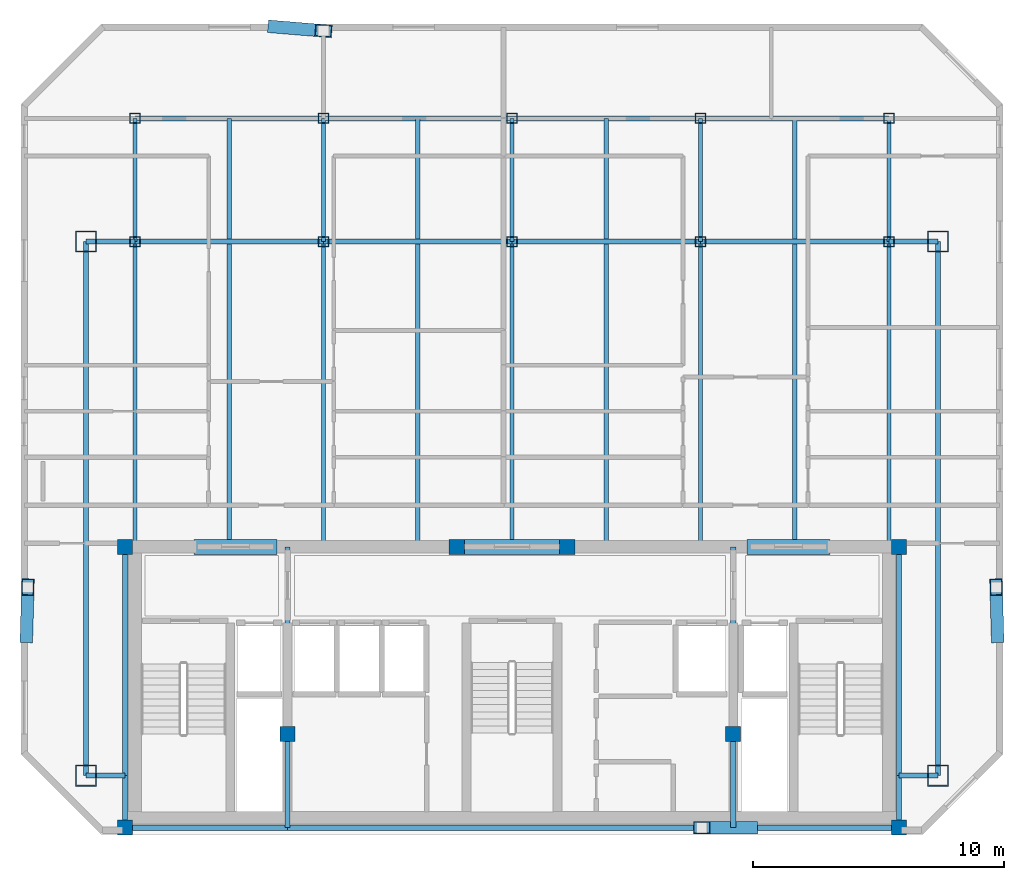
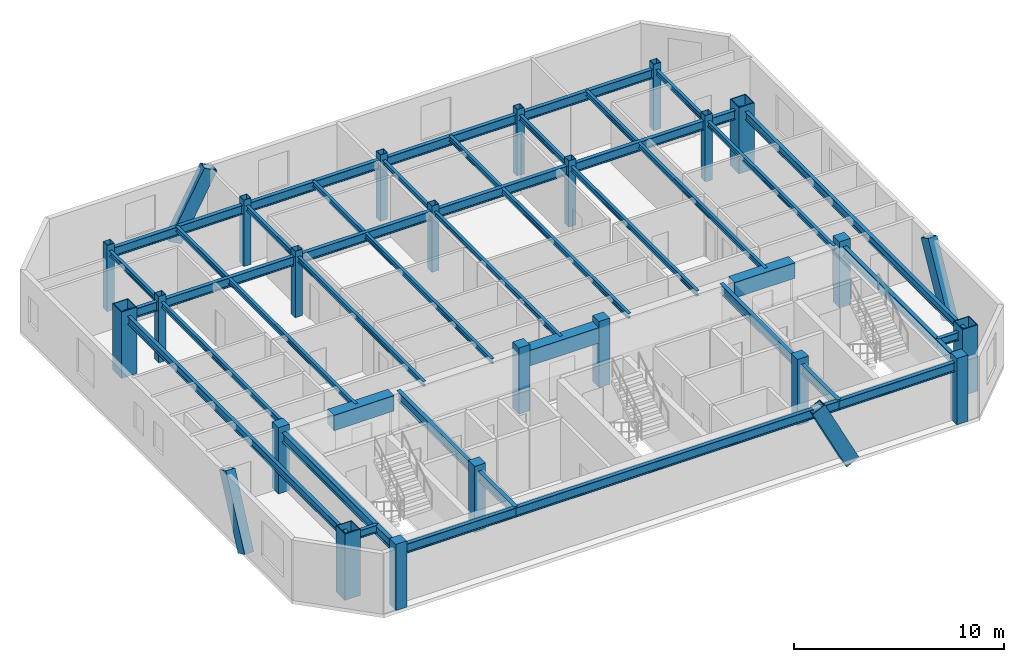
# One storey, part 1 of 7: 46 beams, 22 columns, 4 members.
"""IFC4 building model written with IfcOpenShell, lengths in metres."""

import ifcopenshell
import ifcopenshell.guid

model = None  # the IFC model being written
_history = None  # IfcOwnerHistory: only IFC2X3 demands one
_inside = {}  # id of a spatial element -> (the spatial element, [elements in it])
_under = {}  # id of a project, library or spatial element -> (it, [spatial elements below it])
_declared = {}  # id of a project -> (the project, [libraries it declares])
_typed = {}  # id of a type object -> (the type object, [elements of that type])
_made_of = {}  # id of a material, layer set ... -> (it, [elements and type objects made of it])


def new_model(schema):
    """Start an empty IFC model of exactly this schema.

    Asked for "IFC4X3", IfcOpenShell would pick the latest addendum, in which some entities
    have other attributes; the version numbers below select the first issue.
    IFC2X3 requires an IfcOwnerHistory on every rooted entity: one is made here for all.
    """
    global model, _history
    if schema == "IFC4X3":
        model = ifcopenshell.file(schema_version=(4, 3, 0, 0))
    else:
        model = ifcopenshell.file(schema=schema)
    _inside.clear()
    _under.clear()
    _declared.clear()
    _typed.clear()
    _made_of.clear()
    _history = None
    if model.schema == "IFC2X3":
        org = make("IfcOrganization", Name="unknown")
        user = make(
            "IfcPersonAndOrganization",
            ThePerson=make("IfcPerson", FamilyName="unknown"),
            TheOrganization=org,
        )
        app = make(
            "IfcApplication",
            ApplicationDeveloper=org,
            Version="unknown",
            ApplicationFullName="unknown",
            ApplicationIdentifier="unknown",
        )
        _history = make(
            "IfcOwnerHistory",
            OwningUser=user,
            OwningApplication=app,
            ChangeAction="ADDED",
            CreationDate=0,
        )
    return model


def make(cls, **values):
    """One entity of the class cls with the attributes given. An attribute that is None is left unset."""
    return model.create_entity(
        cls, **{name: value for name, value in values.items() if value is not None}
    )


def rooted(cls, **values):
    """An entity with a GlobalId (a new one), such as an element, a storey or a relation."""
    return make(cls, GlobalId=ifcopenshell.guid.new(), OwnerHistory=_history, **values)


def si_unit(unit_type, name, prefix=None):
    """IfcSIUnit, for example si_unit("LENGTHUNIT", "METRE", prefix="MILLI")."""
    return make("IfcSIUnit", UnitType=unit_type, Prefix=prefix, Name=name)


def assignment(units):
    """IfcUnitAssignment: the units of a project."""
    return None if units is None else make("IfcUnitAssignment", Units=units)


def point(xyz):
    """IfcCartesianPoint."""
    return None if xyz is None else make("IfcCartesianPoint", Coordinates=xyz)


def direction(xyz):
    """IfcDirection."""
    return None if xyz is None else make("IfcDirection", DirectionRatios=xyz)


def frame(location, z_axis=None, x_axis=None):
    """IfcAxis2Placement3D, a coordinate frame: its origin and axes. An axis left out is left unset."""
    return make(
        "IfcAxis2Placement3D",
        Location=point(location),
        Axis=direction(z_axis),
        RefDirection=direction(x_axis),
    )


def frame_2d(location, x_axis=None):
    """IfcAxis2Placement2D, a coordinate frame in the plane: its origin and x axis."""
    return make(
        "IfcAxis2Placement2D", Location=point(location), RefDirection=direction(x_axis)
    )


def origin():
    """The frame at (0, 0, 0) with its axes left unset."""
    return frame((0.0, 0.0, 0.0))


def origin_2d():
    """The frame at (0, 0) in the plane with its x axis left unset."""
    return frame_2d((0.0, 0.0))


def place(relative_to, where):
    """IfcLocalPlacement: puts the frame where relative to a parent placement (None: the world)."""
    return make(
        "IfcLocalPlacement", PlacementRelTo=relative_to, RelativePlacement=where
    )


def context(
    kind, dimensions, precision=None, world=None, true_north=None, identifier=None
):
    """IfcGeometricRepresentationContext, for example the 3D "Model" context."""
    return make(
        "IfcGeometricRepresentationContext",
        ContextIdentifier=identifier,
        ContextType=kind,
        CoordinateSpaceDimension=dimensions,
        Precision=precision,
        WorldCoordinateSystem=world,
        TrueNorth=true_north,
    )


def subcontext(parent, identifier, kind, view, scale=None):
    """IfcGeometricRepresentationSubContext, for example "Body" below "Model"."""
    return make(
        "IfcGeometricRepresentationSubContext",
        ContextIdentifier=identifier,
        ContextType=kind,
        ParentContext=parent,
        TargetScale=scale,
        TargetView=view,
    )


def project(units=None, contexts=None):
    """IfcProject with its units and contexts."""
    return rooted(
        "IfcProject",
        Name="project",
        RepresentationContexts=contexts,
        UnitsInContext=assignment(units),
    )


def spatial(cls, under=None, at=None, **own):
    """A site, building, storey or space (cls), placed at a placement, below another one or the project."""
    s = rooted(cls, ObjectPlacement=at, **own)
    if under is not None:
        _under.setdefault(under.id(), (under, []))[1].append(s)
    return s


def profile(cls, at=None, kind="AREA", **sizes):
    """A parametric profile (cls). Its sizes go by their IFC names, for example OverallWidth=200.0."""
    return make(cls, ProfileType=kind, Position=at, **sizes)


def rectangle(**sizes):
    """IfcRectangleProfileDef."""
    return profile("IfcRectangleProfileDef", **sizes)


def hollow_rectangle(**sizes):
    """IfcRectangleHollowProfileDef."""
    return profile("IfcRectangleHollowProfileDef", **sizes)


def i_section(**sizes):
    """IfcIShapeProfileDef."""
    return profile("IfcIShapeProfileDef", **sizes)


def extrude(swept, where, along, depth):
    """IfcExtrudedAreaSolid: the profile swept, set in the frame where, extruded along a direction by depth."""
    return make(
        "IfcExtrudedAreaSolid",
        SweptArea=swept,
        Position=where,
        ExtrudedDirection=direction(along),
        Depth=depth,
    )


def shape(context_of_items, identifier, shape_type, items):
    """IfcShapeRepresentation: the items that make up one representation, for example the "Body"."""
    return make(
        "IfcShapeRepresentation",
        ContextOfItems=context_of_items,
        RepresentationIdentifier=identifier,
        RepresentationType=shape_type,
        Items=items,
    )


def material(Name=None, Category=None):
    """IfcMaterial."""
    return make("IfcMaterial", Name=Name, Category=Category)


def material_profile(
    of_material, cross_section, Name=None, Category=None, Priority=None
):
    """IfcMaterialProfile: a cross section and its material."""
    return make(
        "IfcMaterialProfile",
        Name=Name,
        Material=of_material,
        Profile=cross_section,
        Priority=Priority,
        Category=Category,
    )


def profile_set(profiles, Name=None, composite=None):
    """IfcMaterialProfileSet."""
    return make(
        "IfcMaterialProfileSet",
        Name=Name,
        MaterialProfiles=profiles,
        CompositeProfile=composite,
    )


def made_of(thing, what):
    """Note that an element or type object is made of a material, layer set ...; save() writes the relation."""
    if what is not None:
        _made_of.setdefault(what.id(), (what, []))[1].append(thing)
    return thing


def type_object(cls, material=None, **own):
    """A type object (cls), such as IfcWallType, which elements share."""
    return made_of(rooted(cls, **own), material)


def element(
    cls,
    number,
    at=None,
    inside=None,
    cuts=None,
    type_object=None,
    material=None,
    context=None,
    identifier="Body",
    shape_type=None,
    held_by="IfcProductDefinitionShape",
    body=None,
    shapes=None,
    **own,
):
    """One element of the class cls, such as IfcWall. Its Tag is "e" and its number.

    at: its placement. inside: the storey or other place that contains it. cuts: it is an
    opening in that element (IfcRelVoidsElement). A single representation is given by context,
    identifier, shape_type and body (its items); several are given by shapes. held_by: the class
    of the entity that holds the representations. save() writes the other relations.
    """
    e = rooted(cls, Tag="e%d" % number, ObjectPlacement=at, **own)
    if body is not None:
        shapes = [shape(context, identifier, shape_type, body)]
    if shapes is not None:
        e.Representation = make(held_by, Representations=shapes)
    if inside is not None:
        _inside.setdefault(inside.id(), (inside, []))[1].append(e)
    if cuts is not None:
        rooted(
            "IfcRelVoidsElement", RelatingBuildingElement=cuts, RelatedOpeningElement=e
        )
    if type_object is not None:
        _typed.setdefault(type_object.id(), (type_object, []))[1].append(e)
    return made_of(e, material)


def aggregate(whole, parts):
    """IfcRelAggregates: a whole, such as a stair, and the parts it consists of."""
    return rooted("IfcRelAggregates", RelatingObject=whole, RelatedObjects=parts)


def save(model, path):
    """Write the relations noted so far, then the file.

    IfcRelAggregates (storeys below a building ...), IfcRelContainedInSpatialStructure (elements
    in a storey), IfcRelDefinesByType, IfcRelAssociatesMaterial and IfcRelDeclares: one each for
    every whole, place, type object, material and project.
    """
    for whole, parts in _under.values():
        aggregate(whole, parts)
    for where, things in _inside.values():
        rooted(
            "IfcRelContainedInSpatialStructure",
            RelatedElements=things,
            RelatingStructure=where,
        )
    for kind, things in _typed.values():
        rooted("IfcRelDefinesByType", RelatedObjects=things, RelatingType=kind)
    for what, things in _made_of.values():
        rooted("IfcRelAssociatesMaterial", RelatedObjects=things, RelatingMaterial=what)
    for by, libraries in _declared.values():
        rooted("IfcRelDeclares", RelatingContext=by, RelatedDefinitions=libraries)
    model.write(path)


model = new_model("IFC4")

# Units and contexts
model_context = context("Model", 3, precision=1e-05, world=origin(), true_north=direction((0.0, 1.0)))
body_context = subcontext(model_context, "Body", "Model", "MODEL_VIEW")
ifc_project = project(units=[si_unit("LENGTHUNIT", "METRE"), si_unit("AREAUNIT", "SQUARE_METRE"), si_unit("VOLUMEUNIT", "CUBIC_METRE"), si_unit("PLANEANGLEUNIT", "RADIAN"), si_unit("MASSUNIT", "GRAM", prefix="KILO")], contexts=[model_context])

# Site, building, storey
site_placement = place(None, origin())
site = spatial("IfcSite", under=ifc_project, at=site_placement, CompositionType="ELEMENT")
building_placement = place(site_placement, origin())
building = spatial("IfcBuilding", under=site, at=building_placement, Name="Ventersveld Concourse Tower", CompositionType="ELEMENT")
storey_placement = place(building_placement, frame((0.0, 0.0, 328.449951171875)))
storey = spatial("IfcBuildingStorey", under=building, at=storey_placement, Name="L81", CompositionType="ELEMENT", Elevation=328.449951171875)

# Columns
ifc_material_1 = material(Name="Concrete C50/60", Category="concrete")
ifc_material_profile_1 = material_profile(ifc_material_1, rectangle(XDim=0.60009765625, YDim=0.60009765625, at=origin_2d()), Name="RC 600x600")
ifc_profile_set_1 = profile_set([ifc_material_profile_1], Name="Concrete C50/60")
column_type_1 = type_object("IfcColumnType", Name="COL-RC600", PredefinedType="COLUMN", material=ifc_profile_set_1)
for number, where, z_axis, x_axis, name in (
    (1, (13.35009765625, 0.280029296875, 0.0), (0.0, 0.0, 1.0), (1.0, 0.0, 0.0), "L81 Core Spine Column CC-SW"),
    (2, (44.14990234375, 0.280029296875, 0.0), (0.0, 0.0, 1.0), (1.0, 0.0, 0.0), "L81 Core Spine Column CC-SE"),
    (3, (13.35009765625, 11.449951171875, 0.0), (0.0, 0.0, 1.0), (1.0, 0.0, 0.0), "L81 Core Spine Column CC-NW"),
    (4, (44.14990234375, 11.449951171875, 0.0), (0.0, 0.0, 1.0), (1.0, 0.0, 0.0), "L81 Core Spine Column CC-NE"),
    (5, (19.820068359375, 4.0, 0.0), (0.0, 0.0, 1.0), (1.0, 0.0, 0.0), "L81 Core Spine Column CM-1"),
    (6, (37.550048828125, 4.0, 0.0), (0.0, 0.0, 1.0), (1.0, 0.0, 0.0), "L81 Core Spine Column CM-2"),
    (7, (26.550048828125, 11.449951171875, 0.0), (0.0, 0.0, 1.0), (1.0, 0.0, 0.0), "L81 Core Spine Column CM-3"),
    (8, (30.949951171875, 11.449951171875, 0.0), (0.0, 0.0, 1.0), (1.0, 0.0, 0.0), "L81 Core Spine Column CM-4"),
):
    element("IfcColumn", number, at=place(storey_placement, frame(where, z_axis=z_axis, x_axis=x_axis)), inside=storey, type_object=column_type_1, Name=name, PredefinedType="COLUMN", context=body_context, shape_type="SweptSolid", body=[
        extrude(rectangle(XDim=0.60009765625, YDim=0.60009765625, at=origin_2d()), origin(), (0.0, 0.0, 1.0), 3.85009765625),
    ])
ifc_material_2 = material(Name="Structural steel S355J2", Category="steel")
ifc_material_profile_2 = material_profile(ifc_material_2, hollow_rectangle(XDim=0.39990234375, YDim=0.39990234375, WallThickness=0.02001953125, at=origin_2d()), Name="SHS 400x400x20")
ifc_profile_set_2 = profile_set([ifc_material_profile_2], Name="Structural steel S355J2")
column_type_2 = type_object("IfcColumnType", Name="COL-SHS400", PredefinedType="COLUMN", material=ifc_profile_set_2)
for number, where, z_axis, x_axis, name in (
    (9, (13.75, 23.60009765625, 0.0), (0.0, 0.0, 1.0), (1.0, 0.0, 0.0), "L81 Interior Gravity Column X=13.75 Y=23.60"),
    (10, (21.25, 23.60009765625, 0.0), (0.0, 0.0, 1.0), (1.0, 0.0, 0.0), "L81 Interior Gravity Column X=21.25 Y=23.60"),
    (11, (28.75, 23.60009765625, 0.0), (0.0, 0.0, 1.0), (1.0, 0.0, 0.0), "L81 Interior Gravity Column X=28.75 Y=23.60"),
    (12, (36.25, 23.60009765625, 0.0), (0.0, 0.0, 1.0), (1.0, 0.0, 0.0), "L81 Interior Gravity Column X=36.25 Y=23.60"),
    (13, (43.75, 23.60009765625, 0.0), (0.0, 0.0, 1.0), (1.0, 0.0, 0.0), "L81 Interior Gravity Column X=43.75 Y=23.60"),
    (14, (13.75, 28.5, 0.0), (0.0, 0.0, 1.0), (1.0, 0.0, 0.0), "L81 Upper-North Gravity Column X=13.75 Y=28.50"),
    (15, (21.25, 28.5, 0.0), (0.0, 0.0, 1.0), (1.0, 0.0, 0.0), "L81 Upper-North Gravity Column X=21.25 Y=28.50"),
    (16, (28.75, 28.5, 0.0), (0.0, 0.0, 1.0), (1.0, 0.0, 0.0), "L81 Upper-North Gravity Column X=28.75 Y=28.50"),
    (17, (36.25, 28.5, 0.0), (0.0, 0.0, 1.0), (1.0, 0.0, 0.0), "L81 Upper-North Gravity Column X=36.25 Y=28.50"),
    (18, (43.75, 28.5, 0.0), (0.0, 0.0, 1.0), (1.0, 0.0, 0.0), "L81 Upper-North Gravity Column X=43.75 Y=28.50"),
):
    element("IfcColumn", number, at=place(storey_placement, frame(where, z_axis=z_axis, x_axis=x_axis)), inside=storey, type_object=column_type_2, Name=name, PredefinedType="COLUMN", context=body_context, shape_type="SweptSolid", body=[
        extrude(hollow_rectangle(XDim=0.39990234375, YDim=0.39990234375, WallThickness=0.02001953125, at=origin_2d()), origin(), (0.0, 0.0, 1.0), 3.85009765625),
    ])
ifc_material_3 = material(Name="Structural steel S460ML", Category="steel")
ifc_material_profile_3 = material_profile(ifc_material_3, hollow_rectangle(XDim=0.85009765625, YDim=0.85009765625, WallThickness=0.050048828125, at=origin_2d()), Name="BOX 850x850x50")
ifc_profile_set_3 = profile_set([ifc_material_profile_3], Name="Structural steel S460ML")
column_type_3 = type_object("IfcColumnType", Name="MC-850", PredefinedType="USERDEFINED", material=ifc_profile_set_3)
for number, where, z_axis, x_axis, name in (
    (19, (11.800048828125, 2.35009765625, 0.0), (0.0, 0.0, 1.0), (1.0, 0.0, 0.0), "L81 Corner Mega-Column MC-SW"),
    (20, (45.699951171875, 2.35009765625, 0.0), (0.0, 0.0, 1.0), (1.0, 0.0, 0.0), "L81 Corner Mega-Column MC-SE"),
    (21, (45.699951171875, 23.60009765625, 0.0), (0.0, 0.0, 1.0), (1.0, 0.0, 0.0), "L81 Corner Mega-Column MC-NE"),
    (22, (11.800048828125, 23.60009765625, 0.0), (0.0, 0.0, 1.0), (1.0, 0.0, 0.0), "L81 Corner Mega-Column MC-NW"),
):
    element("IfcColumn", number, at=place(storey_placement, frame(where, z_axis=z_axis, x_axis=x_axis)), inside=storey, type_object=column_type_3, Name=name, ObjectType="MEGA_COLUMN", PredefinedType="USERDEFINED", context=body_context, shape_type="SweptSolid", body=[
        extrude(hollow_rectangle(XDim=0.85009765625, YDim=0.85009765625, WallThickness=0.050048828125, at=origin_2d()), origin(), (0.0, 0.0, 1.0), 3.85009765625),
    ])

# Beams
ifc_material_profile_4 = material_profile(ifc_material_2, i_section(OverallWidth=0.1650390625, OverallDepth=0.303466796875, WebThickness=0.006103515625, FlangeThickness=0.01025390625, FilletRadius=0.0087890625, at=origin_2d()), Name="UB 305x165x40")
ifc_profile_set_4 = profile_set([ifc_material_profile_4], Name="Structural steel S355J2")
beam_type_1 = type_object("IfcBeamType", Name="BM-UB305", PredefinedType="BEAM", material=ifc_profile_set_4)
beam_1_placement = place(storey_placement, frame((13.75, 11.449951171875, 3.348388671875), z_axis=(0.0, 1.0, 0.0), x_axis=(-1.0, 0.0, 0.0)))
element("IfcBeam", 23, at=beam_1_placement, inside=storey, type_object=beam_type_1, Name="L81 N-S Composite Floor Beam South X=13.75", PredefinedType="BEAM", context=body_context, shape_type="SweptSolid", body=[
    extrude(i_section(OverallWidth=0.1650390625, OverallDepth=0.303466796875, WebThickness=0.006103515625, FlangeThickness=0.01025390625, FilletRadius=0.0087890625, at=origin_2d()), origin(), (0.0, 0.0, 1.0), 12.150146484375),
])
beam_2_placement = place(storey_placement, frame((13.75, 23.60009765625, 3.348388671875), z_axis=(0.0, 1.0, 0.0), x_axis=(-1.0, 0.0, 0.0)))
element("IfcBeam", 24, at=beam_2_placement, inside=storey, type_object=beam_type_1, Name="L81 N-S Upper-Zone Floor Beam X=13.75", PredefinedType="BEAM", context=body_context, shape_type="SweptSolid", body=[
    extrude(i_section(OverallWidth=0.1650390625, OverallDepth=0.303466796875, WebThickness=0.006103515625, FlangeThickness=0.01025390625, FilletRadius=0.0087890625, at=origin_2d()), origin(), (0.0, 0.0, 1.0), 4.89990234375),
])
beam_3_placement = place(storey_placement, frame((17.5, 11.449951171875, 3.348388671875), z_axis=(0.0, 1.0, 0.0), x_axis=(-1.0, 0.0, 0.0)))
element("IfcBeam", 25, at=beam_3_placement, inside=storey, type_object=beam_type_1, Name="L81 N-S Composite Floor Beam South X=17.50", PredefinedType="BEAM", context=body_context, shape_type="SweptSolid", body=[
    extrude(i_section(OverallWidth=0.1650390625, OverallDepth=0.303466796875, WebThickness=0.006103515625, FlangeThickness=0.01025390625, FilletRadius=0.0087890625, at=origin_2d()), origin(), (0.0, 0.0, 1.0), 12.054931640625),
])
beam_4_placement = place(storey_placement, frame((17.5, 23.695068359375, 3.348388671875), z_axis=(0.0, 1.0, 0.0), x_axis=(-1.0, 0.0, 0.0)))
element("IfcBeam", 26, at=beam_4_placement, inside=storey, type_object=beam_type_1, Name="L81 N-S Upper-Zone Floor Beam X=17.50", PredefinedType="BEAM", context=body_context, shape_type="SweptSolid", body=[
    extrude(i_section(OverallWidth=0.1650390625, OverallDepth=0.303466796875, WebThickness=0.006103515625, FlangeThickness=0.01025390625, FilletRadius=0.0087890625, at=origin_2d()), origin(), (0.0, 0.0, 1.0), 4.804931640625),
])
beam_5_placement = place(storey_placement, frame((21.25, 11.449951171875, 3.348388671875), z_axis=(0.0, 1.0, 0.0), x_axis=(-1.0, 0.0, 0.0)))
element("IfcBeam", 27, at=beam_5_placement, inside=storey, type_object=beam_type_1, Name="L81 N-S Composite Floor Beam South X=21.25", PredefinedType="BEAM", context=body_context, shape_type="SweptSolid", body=[
    extrude(i_section(OverallWidth=0.1650390625, OverallDepth=0.303466796875, WebThickness=0.006103515625, FlangeThickness=0.01025390625, FilletRadius=0.0087890625, at=origin_2d()), origin(), (0.0, 0.0, 1.0), 12.150146484375),
])
beam_6_placement = place(storey_placement, frame((21.25, 23.60009765625, 3.348388671875), z_axis=(0.0, 1.0, 0.0), x_axis=(-1.0, 0.0, 0.0)))
element("IfcBeam", 28, at=beam_6_placement, inside=storey, type_object=beam_type_1, Name="L81 N-S Upper-Zone Floor Beam X=21.25", PredefinedType="BEAM", context=body_context, shape_type="SweptSolid", body=[
    extrude(i_section(OverallWidth=0.1650390625, OverallDepth=0.303466796875, WebThickness=0.006103515625, FlangeThickness=0.01025390625, FilletRadius=0.0087890625, at=origin_2d()), origin(), (0.0, 0.0, 1.0), 4.89990234375),
])
beam_7_placement = place(storey_placement, frame((25.0, 11.449951171875, 3.348388671875), z_axis=(0.0, 1.0, 0.0), x_axis=(-1.0, 0.0, 0.0)))
element("IfcBeam", 29, at=beam_7_placement, inside=storey, type_object=beam_type_1, Name="L81 N-S Composite Floor Beam South X=25.00", PredefinedType="BEAM", context=body_context, shape_type="SweptSolid", body=[
    extrude(i_section(OverallWidth=0.1650390625, OverallDepth=0.303466796875, WebThickness=0.006103515625, FlangeThickness=0.01025390625, FilletRadius=0.0087890625, at=origin_2d()), origin(), (0.0, 0.0, 1.0), 12.054931640625),
])
beam_8_placement = place(storey_placement, frame((25.0, 23.695068359375, 3.348388671875), z_axis=(0.0, 1.0, 0.0), x_axis=(-1.0, 0.0, 0.0)))
element("IfcBeam", 30, at=beam_8_placement, inside=storey, type_object=beam_type_1, Name="L81 N-S Upper-Zone Floor Beam X=25.00", PredefinedType="BEAM", context=body_context, shape_type="SweptSolid", body=[
    extrude(i_section(OverallWidth=0.1650390625, OverallDepth=0.303466796875, WebThickness=0.006103515625, FlangeThickness=0.01025390625, FilletRadius=0.0087890625, at=origin_2d()), origin(), (0.0, 0.0, 1.0), 4.804931640625),
])
beam_9_placement = place(storey_placement, frame((28.75, 11.449951171875, 3.348388671875), z_axis=(0.0, 1.0, 0.0), x_axis=(-1.0, 0.0, 0.0)))
element("IfcBeam", 31, at=beam_9_placement, inside=storey, type_object=beam_type_1, Name="L81 N-S Composite Floor Beam South X=28.75", PredefinedType="BEAM", context=body_context, shape_type="SweptSolid", body=[
    extrude(i_section(OverallWidth=0.1650390625, OverallDepth=0.303466796875, WebThickness=0.006103515625, FlangeThickness=0.01025390625, FilletRadius=0.0087890625, at=origin_2d()), origin(), (0.0, 0.0, 1.0), 12.150146484375),
])
beam_10_placement = place(storey_placement, frame((28.75, 23.60009765625, 3.348388671875), z_axis=(0.0, 1.0, 0.0), x_axis=(-1.0, 0.0, 0.0)))
element("IfcBeam", 32, at=beam_10_placement, inside=storey, type_object=beam_type_1, Name="L81 N-S Upper-Zone Floor Beam X=28.75", PredefinedType="BEAM", context=body_context, shape_type="SweptSolid", body=[
    extrude(i_section(OverallWidth=0.1650390625, OverallDepth=0.303466796875, WebThickness=0.006103515625, FlangeThickness=0.01025390625, FilletRadius=0.0087890625, at=origin_2d()), origin(), (0.0, 0.0, 1.0), 4.89990234375),
])
beam_11_placement = place(storey_placement, frame((32.5, 11.449951171875, 3.348388671875), z_axis=(0.0, 1.0, 0.0), x_axis=(-1.0, 0.0, 0.0)))
element("IfcBeam", 33, at=beam_11_placement, inside=storey, type_object=beam_type_1, Name="L81 N-S Composite Floor Beam South X=32.50", PredefinedType="BEAM", context=body_context, shape_type="SweptSolid", body=[
    extrude(i_section(OverallWidth=0.1650390625, OverallDepth=0.303466796875, WebThickness=0.006103515625, FlangeThickness=0.01025390625, FilletRadius=0.0087890625, at=origin_2d()), origin(), (0.0, 0.0, 1.0), 12.054931640625),
])
beam_12_placement = place(storey_placement, frame((32.5, 23.695068359375, 3.348388671875), z_axis=(0.0, 1.0, 0.0), x_axis=(-1.0, 0.0, 0.0)))
element("IfcBeam", 34, at=beam_12_placement, inside=storey, type_object=beam_type_1, Name="L81 N-S Upper-Zone Floor Beam X=32.50", PredefinedType="BEAM", context=body_context, shape_type="SweptSolid", body=[
    extrude(i_section(OverallWidth=0.1650390625, OverallDepth=0.303466796875, WebThickness=0.006103515625, FlangeThickness=0.01025390625, FilletRadius=0.0087890625, at=origin_2d()), origin(), (0.0, 0.0, 1.0), 4.804931640625),
])
beam_13_placement = place(storey_placement, frame((36.25, 11.449951171875, 3.348388671875), z_axis=(0.0, 1.0, 0.0), x_axis=(-1.0, 0.0, 0.0)))
element("IfcBeam", 35, at=beam_13_placement, inside=storey, type_object=beam_type_1, Name="L81 N-S Composite Floor Beam South X=36.25", PredefinedType="BEAM", context=body_context, shape_type="SweptSolid", body=[
    extrude(i_section(OverallWidth=0.1650390625, OverallDepth=0.303466796875, WebThickness=0.006103515625, FlangeThickness=0.01025390625, FilletRadius=0.0087890625, at=origin_2d()), origin(), (0.0, 0.0, 1.0), 12.150146484375),
])
beam_14_placement = place(storey_placement, frame((36.25, 23.60009765625, 3.348388671875), z_axis=(0.0, 1.0, 0.0), x_axis=(-1.0, 0.0, 0.0)))
element("IfcBeam", 36, at=beam_14_placement, inside=storey, type_object=beam_type_1, Name="L81 N-S Upper-Zone Floor Beam X=36.25", PredefinedType="BEAM", context=body_context, shape_type="SweptSolid", body=[
    extrude(i_section(OverallWidth=0.1650390625, OverallDepth=0.303466796875, WebThickness=0.006103515625, FlangeThickness=0.01025390625, FilletRadius=0.0087890625, at=origin_2d()), origin(), (0.0, 0.0, 1.0), 4.89990234375),
])
beam_15_placement = place(storey_placement, frame((40.0, 11.449951171875, 3.348388671875), z_axis=(0.0, 1.0, 0.0), x_axis=(-1.0, 0.0, 0.0)))
element("IfcBeam", 37, at=beam_15_placement, inside=storey, type_object=beam_type_1, Name="L81 N-S Composite Floor Beam South X=40.00", PredefinedType="BEAM", context=body_context, shape_type="SweptSolid", body=[
    extrude(i_section(OverallWidth=0.1650390625, OverallDepth=0.303466796875, WebThickness=0.006103515625, FlangeThickness=0.01025390625, FilletRadius=0.0087890625, at=origin_2d()), origin(), (0.0, 0.0, 1.0), 12.054931640625),
])
beam_16_placement = place(storey_placement, frame((40.0, 23.695068359375, 3.348388671875), z_axis=(0.0, 1.0, 0.0), x_axis=(-1.0, 0.0, 0.0)))
element("IfcBeam", 38, at=beam_16_placement, inside=storey, type_object=beam_type_1, Name="L81 N-S Upper-Zone Floor Beam X=40.00", PredefinedType="BEAM", context=body_context, shape_type="SweptSolid", body=[
    extrude(i_section(OverallWidth=0.1650390625, OverallDepth=0.303466796875, WebThickness=0.006103515625, FlangeThickness=0.01025390625, FilletRadius=0.0087890625, at=origin_2d()), origin(), (0.0, 0.0, 1.0), 4.804931640625),
])
beam_17_placement = place(storey_placement, frame((43.75, 11.449951171875, 3.348388671875), z_axis=(0.0, 1.0, 0.0), x_axis=(-1.0, 0.0, 0.0)))
element("IfcBeam", 39, at=beam_17_placement, inside=storey, type_object=beam_type_1, Name="L81 N-S Composite Floor Beam South X=43.75", PredefinedType="BEAM", context=body_context, shape_type="SweptSolid", body=[
    extrude(i_section(OverallWidth=0.1650390625, OverallDepth=0.303466796875, WebThickness=0.006103515625, FlangeThickness=0.01025390625, FilletRadius=0.0087890625, at=origin_2d()), origin(), (0.0, 0.0, 1.0), 12.150146484375),
])
beam_18_placement = place(storey_placement, frame((43.75, 23.60009765625, 3.348388671875), z_axis=(0.0, 1.0, 0.0), x_axis=(-1.0, 0.0, 0.0)))
element("IfcBeam", 40, at=beam_18_placement, inside=storey, type_object=beam_type_1, Name="L81 N-S Upper-Zone Floor Beam X=43.75", PredefinedType="BEAM", context=body_context, shape_type="SweptSolid", body=[
    extrude(i_section(OverallWidth=0.1650390625, OverallDepth=0.303466796875, WebThickness=0.006103515625, FlangeThickness=0.01025390625, FilletRadius=0.0087890625, at=origin_2d()), origin(), (0.0, 0.0, 1.0), 4.89990234375),
])
ifc_material_profile_5 = material_profile(ifc_material_1, rectangle(XDim=0.60009765625, YDim=0.89990234375, at=origin_2d()), Name="RC 600x900")
ifc_profile_set_5 = profile_set([ifc_material_profile_5], Name="Concrete C50/60")
beam_type_2 = type_object("IfcBeamType", Name="CB-RC600x900U", PredefinedType="LINTEL", material=ifc_profile_set_5)
beam_19_placement = place(storey_placement, frame((16.10009765625, 11.449951171875, 3.050048828125), z_axis=(1.0, 0.0, 0.0), x_axis=(0.0, 1.0, 0.0)))
element("IfcBeam", 41, at=beam_19_placement, inside=storey, type_object=beam_type_2, Name="L81 Core Coupling Lintel Beam 1", PredefinedType="LINTEL", context=body_context, shape_type="SweptSolid", body=[
    extrude(rectangle(XDim=0.60009765625, YDim=0.89990234375, at=origin_2d()), origin(), (0.0, 0.0, 1.0), 3.2998046875),
])
beam_20_placement = place(storey_placement, frame((26.5, 11.449951171875, 3.050048828125), z_axis=(1.0, 0.0, 0.0), x_axis=(0.0, 1.0, 0.0)))
element("IfcBeam", 42, at=beam_20_placement, inside=storey, type_object=beam_type_2, Name="L81 Core Coupling Lintel Beam 2", PredefinedType="LINTEL", context=body_context, shape_type="SweptSolid", body=[
    extrude(rectangle(XDim=0.60009765625, YDim=0.89990234375, at=origin_2d()), origin(), (0.0, 0.0, 1.0), 4.5),
])
beam_21_placement = place(storey_placement, frame((38.10009765625, 11.449951171875, 3.050048828125), z_axis=(1.0, 0.0, 0.0), x_axis=(0.0, 1.0, 0.0)))
element("IfcBeam", 43, at=beam_21_placement, inside=storey, type_object=beam_type_2, Name="L81 Core Coupling Lintel Beam 3", PredefinedType="LINTEL", context=body_context, shape_type="SweptSolid", body=[
    extrude(rectangle(XDim=0.60009765625, YDim=0.89990234375, at=origin_2d()), origin(), (0.0, 0.0, 1.0), 3.2998046875),
])
ifc_material_profile_6 = material_profile(ifc_material_2, i_section(OverallWidth=0.209228515625, OverallDepth=0.533203125, WebThickness=0.010009765625, FlangeThickness=0.015625, FilletRadius=0.0126953125, at=origin_2d()), Name="UB 533x210x92")
ifc_profile_set_6 = profile_set([ifc_material_profile_6], Name="Structural steel S355J2")
beam_type_3 = type_object("IfcBeamType", Name="GRD-UB533", PredefinedType="T_BEAM", material=ifc_profile_set_6)
beam_22_placement = place(storey_placement, frame((11.800048828125, 23.60009765625, 3.2333984375), z_axis=(1.0, 0.0, 0.0), x_axis=(0.0, 1.0, 0.0)))
element("IfcBeam", 44, at=beam_22_placement, inside=storey, type_object=beam_type_3, Name="L81 Primary E-W Grid Girder Y=23.60 #1", PredefinedType="T_BEAM", context=body_context, shape_type="SweptSolid", body=[
    extrude(i_section(OverallWidth=0.209228515625, OverallDepth=0.533203125, WebThickness=0.010009765625, FlangeThickness=0.015625, FilletRadius=0.0126953125, at=origin_2d()), origin(), (0.0, 0.0, 1.0), 1.949951171875),
])
for number, where, z_axis, x_axis, name in (
    (45, (13.75, 23.60009765625, 3.2333984375), (1.0, 0.0, 0.0), (0.0, 1.0, 0.0), "L81 Primary E-W Grid Girder Y=23.60 #2"),
    (46, (21.25, 23.60009765625, 3.2333984375), (1.0, 0.0, 0.0), (0.0, 1.0, 0.0), "L81 Primary E-W Grid Girder Y=23.60 #3"),
    (47, (28.75, 23.60009765625, 3.2333984375), (1.0, 0.0, 0.0), (0.0, 1.0, 0.0), "L81 Primary E-W Grid Girder Y=23.60 #4"),
    (48, (36.25, 23.60009765625, 3.2333984375), (1.0, 0.0, 0.0), (0.0, 1.0, 0.0), "L81 Primary E-W Grid Girder Y=23.60 #5"),
):
    element("IfcBeam", number, at=place(storey_placement, frame(where, z_axis=z_axis, x_axis=x_axis)), inside=storey, type_object=beam_type_3, Name=name, PredefinedType="T_BEAM", context=body_context, shape_type="SweptSolid", body=[
        extrude(i_section(OverallWidth=0.209228515625, OverallDepth=0.533203125, WebThickness=0.010009765625, FlangeThickness=0.015625, FilletRadius=0.0126953125, at=origin_2d()), origin(), (0.0, 0.0, 1.0), 7.5),
    ])
beam_23_placement = place(storey_placement, frame((43.75, 23.60009765625, 3.2333984375), z_axis=(1.0, 0.0, 0.0), x_axis=(0.0, 1.0, 0.0)))
element("IfcBeam", 49, at=beam_23_placement, inside=storey, type_object=beam_type_3, Name="L81 Primary E-W Grid Girder Y=23.60 #6", PredefinedType="T_BEAM", context=body_context, shape_type="SweptSolid", body=[
    extrude(i_section(OverallWidth=0.209228515625, OverallDepth=0.533203125, WebThickness=0.010009765625, FlangeThickness=0.015625, FilletRadius=0.0126953125, at=origin_2d()), origin(), (0.0, 0.0, 1.0), 1.949951171875),
])
for number, where, z_axis, x_axis, name in (
    (50, (13.75, 28.5, 3.2333984375), (1.0, 0.0, 0.0), (0.0, 1.0, 0.0), "L81 Upper-North E-W Girder Y=28.50 #1"),
    (51, (21.25, 28.5, 3.2333984375), (1.0, 0.0, 0.0), (0.0, 1.0, 0.0), "L81 Upper-North E-W Girder Y=28.50 #2"),
    (52, (28.75, 28.5, 3.2333984375), (1.0, 0.0, 0.0), (0.0, 1.0, 0.0), "L81 Upper-North E-W Girder Y=28.50 #3"),
    (53, (36.25, 28.5, 3.2333984375), (1.0, 0.0, 0.0), (0.0, 1.0, 0.0), "L81 Upper-North E-W Girder Y=28.50 #4"),
):
    element("IfcBeam", number, at=place(storey_placement, frame(where, z_axis=z_axis, x_axis=x_axis)), inside=storey, type_object=beam_type_3, Name=name, PredefinedType="T_BEAM", context=body_context, shape_type="SweptSolid", body=[
        extrude(i_section(OverallWidth=0.209228515625, OverallDepth=0.533203125, WebThickness=0.010009765625, FlangeThickness=0.015625, FilletRadius=0.0126953125, at=origin_2d()), origin(), (0.0, 0.0, 1.0), 7.5),
    ])
ifc_material_profile_7 = material_profile(ifc_material_2, i_section(OverallWidth=0.2119140625, OverallDepth=0.54443359375, WebThickness=0.0126953125, FlangeThickness=0.021240234375, FilletRadius=0.0126953125, at=origin_2d()), Name="UB 533x210x122")
ifc_profile_set_7 = profile_set([ifc_material_profile_7], Name="Structural steel S355J2")
beam_type_4 = type_object("IfcBeamType", Name="GRD-UB533H", PredefinedType="T_BEAM", material=ifc_profile_set_7)
beam_24_placement = place(storey_placement, frame((13.35009765625, 0.280029296875, 3.227783203125), z_axis=(0.0, 1.0, 0.0), x_axis=(-1.0, 0.0, 0.0)))
element("IfcBeam", 54, at=beam_24_placement, inside=storey, type_object=beam_type_4, Name="L81 Core West Tie Beam S", PredefinedType="T_BEAM", context=body_context, shape_type="SweptSolid", body=[
    extrude(i_section(OverallWidth=0.2119140625, OverallDepth=0.54443359375, WebThickness=0.0126953125, FlangeThickness=0.021240234375, FilletRadius=0.0126953125, at=origin_2d()), origin(), (0.0, 0.0, 1.0), 2.070068359375),
])
beam_25_placement = place(storey_placement, frame((13.35009765625, 2.35009765625, 3.227783203125), z_axis=(0.0, 1.0, 0.0), x_axis=(-1.0, 0.0, 0.0)))
element("IfcBeam", 55, at=beam_25_placement, inside=storey, type_object=beam_type_4, Name="L81 Core West Tie Beam N", PredefinedType="T_BEAM", context=body_context, shape_type="SweptSolid", body=[
    extrude(i_section(OverallWidth=0.2119140625, OverallDepth=0.54443359375, WebThickness=0.0126953125, FlangeThickness=0.021240234375, FilletRadius=0.0126953125, at=origin_2d()), origin(), (0.0, 0.0, 1.0), 9.099853515625),
])
beam_26_placement = place(storey_placement, frame((44.14990234375, 0.280029296875, 3.227783203125), z_axis=(0.0, 1.0, 0.0), x_axis=(-1.0, 0.0, 0.0)))
element("IfcBeam", 56, at=beam_26_placement, inside=storey, type_object=beam_type_4, Name="L81 Core East Tie Beam S", PredefinedType="T_BEAM", context=body_context, shape_type="SweptSolid", body=[
    extrude(i_section(OverallWidth=0.2119140625, OverallDepth=0.54443359375, WebThickness=0.0126953125, FlangeThickness=0.021240234375, FilletRadius=0.0126953125, at=origin_2d()), origin(), (0.0, 0.0, 1.0), 2.070068359375),
])
beam_27_placement = place(storey_placement, frame((44.14990234375, 2.35009765625, 3.227783203125), z_axis=(0.0, 1.0, 0.0), x_axis=(-1.0, 0.0, 0.0)))
element("IfcBeam", 57, at=beam_27_placement, inside=storey, type_object=beam_type_4, Name="L81 Core East Tie Beam N", PredefinedType="T_BEAM", context=body_context, shape_type="SweptSolid", body=[
    extrude(i_section(OverallWidth=0.2119140625, OverallDepth=0.54443359375, WebThickness=0.0126953125, FlangeThickness=0.021240234375, FilletRadius=0.0126953125, at=origin_2d()), origin(), (0.0, 0.0, 1.0), 9.099853515625),
])
beam_28_placement = place(storey_placement, frame((13.35009765625, 0.280029296875, 3.227783203125), z_axis=(1.0, 0.0, 0.0), x_axis=(0.0, 1.0, 0.0)))
element("IfcBeam", 58, at=beam_28_placement, inside=storey, type_object=beam_type_4, Name="L81 Core South Tie Beam W", PredefinedType="T_BEAM", context=body_context, shape_type="SweptSolid", body=[
    extrude(i_section(OverallWidth=0.2119140625, OverallDepth=0.54443359375, WebThickness=0.0126953125, FlangeThickness=0.021240234375, FilletRadius=0.0126953125, at=origin_2d()), origin(), (0.0, 0.0, 1.0), 6.469970703125),
])
beam_29_placement = place(storey_placement, frame((19.820068359375, 0.280029296875, 3.227783203125), z_axis=(1.0, 0.0, 0.0), x_axis=(0.0, 1.0, 0.0)))
element("IfcBeam", 59, at=beam_29_placement, inside=storey, type_object=beam_type_4, Name="L81 Core South Tie Beam C", PredefinedType="T_BEAM", context=body_context, shape_type="SweptSolid", body=[
    extrude(i_section(OverallWidth=0.2119140625, OverallDepth=0.54443359375, WebThickness=0.0126953125, FlangeThickness=0.021240234375, FilletRadius=0.0126953125, at=origin_2d()), origin(), (0.0, 0.0, 1.0), 17.72998046875),
])
beam_30_placement = place(storey_placement, frame((37.550048828125, 0.280029296875, 3.227783203125), z_axis=(1.0, 0.0, 0.0), x_axis=(0.0, 1.0, 0.0)))
element("IfcBeam", 60, at=beam_30_placement, inside=storey, type_object=beam_type_4, Name="L81 Core South Tie Beam E", PredefinedType="T_BEAM", context=body_context, shape_type="SweptSolid", body=[
    extrude(i_section(OverallWidth=0.2119140625, OverallDepth=0.54443359375, WebThickness=0.0126953125, FlangeThickness=0.021240234375, FilletRadius=0.0126953125, at=origin_2d()), origin(), (0.0, 0.0, 1.0), 6.599853515625),
])
beam_31_placement = place(storey_placement, frame((19.820068359375, 0.280029296875, 3.227783203125), z_axis=(0.0, 1.0, 0.0), x_axis=(-1.0, 0.0, 0.0)))
element("IfcBeam", 61, at=beam_31_placement, inside=storey, type_object=beam_type_4, Name="L81 Core Spine N-S Tie Beam W1", PredefinedType="T_BEAM", context=body_context, shape_type="SweptSolid", body=[
    extrude(i_section(OverallWidth=0.2119140625, OverallDepth=0.54443359375, WebThickness=0.0126953125, FlangeThickness=0.021240234375, FilletRadius=0.0126953125, at=origin_2d()), origin(), (0.0, 0.0, 1.0), 3.719970703125),
])
beam_32_placement = place(storey_placement, frame((19.820068359375, 4.0, 3.227783203125), z_axis=(0.0, 1.0, 0.0), x_axis=(-1.0, 0.0, 0.0)))
element("IfcBeam", 62, at=beam_32_placement, inside=storey, type_object=beam_type_4, Name="L81 Core Spine N-S Tie Beam W2", PredefinedType="T_BEAM", context=body_context, shape_type="SweptSolid", body=[
    extrude(i_section(OverallWidth=0.2119140625, OverallDepth=0.54443359375, WebThickness=0.0126953125, FlangeThickness=0.021240234375, FilletRadius=0.0126953125, at=origin_2d()), origin(), (0.0, 0.0, 1.0), 7.449951171875),
])
beam_33_placement = place(storey_placement, frame((37.550048828125, 0.280029296875, 3.227783203125), z_axis=(0.0, 1.0, 0.0), x_axis=(-1.0, 0.0, 0.0)))
element("IfcBeam", 63, at=beam_33_placement, inside=storey, type_object=beam_type_4, Name="L81 Core Spine N-S Tie Beam E1", PredefinedType="T_BEAM", context=body_context, shape_type="SweptSolid", body=[
    extrude(i_section(OverallWidth=0.2119140625, OverallDepth=0.54443359375, WebThickness=0.0126953125, FlangeThickness=0.021240234375, FilletRadius=0.0126953125, at=origin_2d()), origin(), (0.0, 0.0, 1.0), 3.719970703125),
])
beam_34_placement = place(storey_placement, frame((37.550048828125, 4.0, 3.227783203125), z_axis=(0.0, 1.0, 0.0), x_axis=(-1.0, 0.0, 0.0)))
element("IfcBeam", 64, at=beam_34_placement, inside=storey, type_object=beam_type_4, Name="L81 Core Spine N-S Tie Beam E2", PredefinedType="T_BEAM", context=body_context, shape_type="SweptSolid", body=[
    extrude(i_section(OverallWidth=0.2119140625, OverallDepth=0.54443359375, WebThickness=0.0126953125, FlangeThickness=0.021240234375, FilletRadius=0.0126953125, at=origin_2d()), origin(), (0.0, 0.0, 1.0), 7.449951171875),
])

# Members
ifc_material_4 = material(Name="Structural steel S355ML", Category="steel")
ifc_material_profile_8 = material_profile(ifc_material_4, hollow_rectangle(XDim=0.5, YDim=0.75, WallThickness=0.034912109375, at=origin_2d()), Name="BOX 750x500x35")
ifc_profile_set_8 = profile_set([ifc_material_profile_8], Name="Structural steel S355ML")
member_type = type_object("IfcMemberType", Name="MB-750x500", PredefinedType="BRACE", material=ifc_profile_set_8)
member_1_placement = place(storey_placement, frame((19.375, 32.13916015625, -0.199951171875), z_axis=(0.451722047516, -0.037114142185, 0.891386410171), x_axis=(0.08188553882, 0.996641740312, 0.0)))
element("IfcMember", 65, at=member_1_placement, inside=storey, type_object=member_type, Name="L81 Exterior Mega-Brace N (Module M19)", PredefinedType="BRACE", context=body_context, shape_type="SweptSolid", body=[
    extrude(hollow_rectangle(XDim=0.5, YDim=0.75, WallThickness=0.034912109375, at=origin_2d()), origin(), (0.0, 0.0, 1.0), 4.15087890625),
])
member_2_placement = place(storey_placement, frame((38.175048828125, 0.280029296875, -0.199951171875), z_axis=(-0.452033483721, 0.0, 0.892000969504), x_axis=(0.0, -1.0, 0.0)))
element("IfcMember", 66, at=member_2_placement, inside=storey, type_object=member_type, Name="L81 Exterior Mega-Brace S (Module M19)", PredefinedType="BRACE", context=body_context, shape_type="SweptSolid", body=[
    extrude(hollow_rectangle(XDim=0.5, YDim=0.75, WallThickness=0.034912109375, at=origin_2d()), origin(), (0.0, 0.0, 1.0), 4.14794921875),
])
for number, where, z_axis, x_axis, name in (
    (67, (9.432861328125, 7.97509765625, -0.199951171875), (0.012830102661, 0.451996277227, 0.891927549658), (-0.999597377348, 0.028373988055, 0.0), "L81 Exterior Mega-Brace W (Module M19)"),
    (68, (48.067138671875, 7.97509765625, -0.199951171875), (-0.012830102661, 0.451996277227, 0.891927549658), (-0.999597377348, -0.028373988055, 0.0), "L81 Exterior Mega-Brace E (Module M19)"),
):
    element("IfcMember", number, at=place(storey_placement, frame(where, z_axis=z_axis, x_axis=x_axis)), inside=storey, type_object=member_type, Name=name, PredefinedType="BRACE", context=body_context, shape_type="SweptSolid", body=[
        extrude(hollow_rectangle(XDim=0.5, YDim=0.75, WallThickness=0.034912109375, at=origin_2d()), origin(), (0.0, 0.0, 1.0), 4.148193359375),
    ])

# Beams
ifc_material_profile_9 = material_profile(ifc_material_2, i_section(OverallWidth=0.19140625, OverallDepth=0.4599609375, WebThickness=0.010009765625, FlangeThickness=0.01611328125, FilletRadius=0.01025390625, at=origin_2d()), Name="UB 457x191x82")
ifc_profile_set_9 = profile_set([ifc_material_profile_9], Name="Structural steel S355J2")
beam_type_5 = type_object("IfcBeamType", Name="SPD-UB457", PredefinedType="SPANDREL", material=ifc_profile_set_9)
for number, where, z_axis, x_axis, name in (
    (69, (11.800048828125, 2.35009765625, 3.27001953125), (1.0, 0.0, 0.0), (0.0, 1.0, 0.0), "L81 SW Spandrel Beam"),
    (70, (44.14990234375, 2.35009765625, 3.27001953125), (1.0, 0.0, 0.0), (0.0, 1.0, 0.0), "L81 SE Spandrel Beam"),
):
    element("IfcBeam", number, at=place(storey_placement, frame(where, z_axis=z_axis, x_axis=x_axis)), inside=storey, type_object=beam_type_5, Name=name, PredefinedType="SPANDREL", context=body_context, shape_type="SweptSolid", body=[
        extrude(i_section(OverallWidth=0.19140625, OverallDepth=0.4599609375, WebThickness=0.010009765625, FlangeThickness=0.01611328125, FilletRadius=0.01025390625, at=origin_2d()), origin(), (0.0, 0.0, 1.0), 1.550048828125),
    ])
for number, where, z_axis, x_axis, name in (
    (71, (11.800048828125, 2.35009765625, 3.27001953125), (0.0, 1.0, 0.0), (-1.0, 0.0, 0.0), "L81 West Spandrel Beam"),
    (72, (45.699951171875, 2.35009765625, 3.27001953125), (0.0, 1.0, 0.0), (-1.0, 0.0, 0.0), "L81 East Spandrel Beam"),
):
    element("IfcBeam", number, at=place(storey_placement, frame(where, z_axis=z_axis, x_axis=x_axis)), inside=storey, type_object=beam_type_5, Name=name, PredefinedType="SPANDREL", context=body_context, shape_type="SweptSolid", body=[
        extrude(i_section(OverallWidth=0.19140625, OverallDepth=0.4599609375, WebThickness=0.010009765625, FlangeThickness=0.01611328125, FilletRadius=0.01025390625, at=origin_2d()), origin(), (0.0, 0.0, 1.0), 21.25),
    ])

save(model, "model.ifc")
